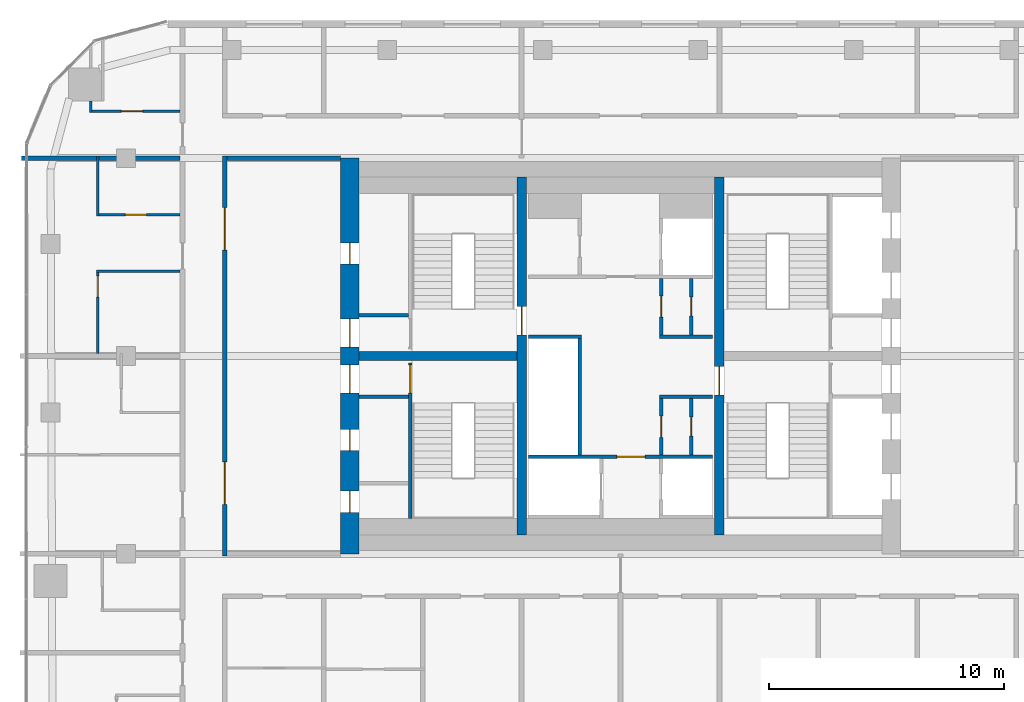
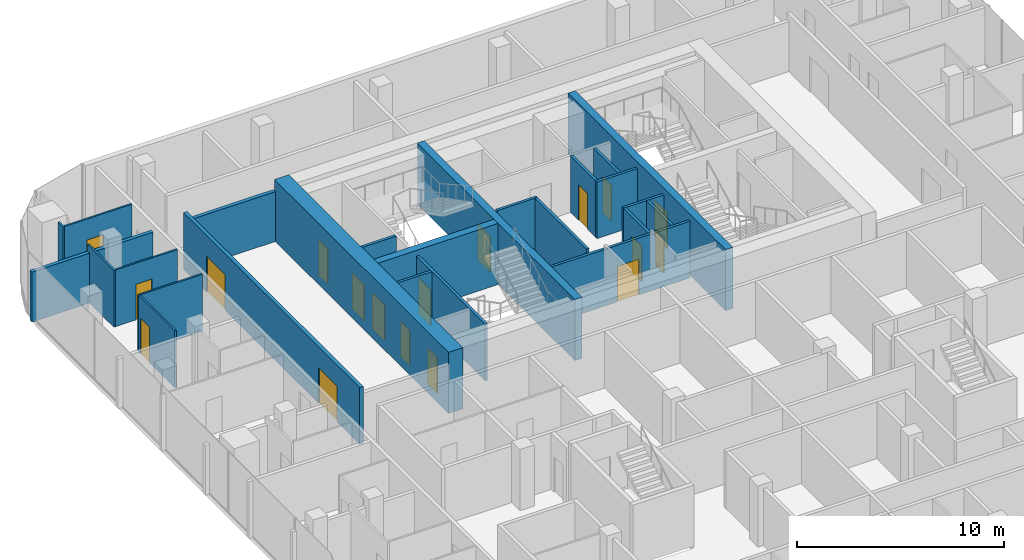
# One storey, part 18 of 22: 25 walls, 18 doors, 18 openings.
"""IFC4 building model written with IfcOpenShell, lengths in metres."""

from ifc_helpers import new_model, si_unit, direction, frame, frame_2d, origin, place, context, subcontext, project, spatial, rectangle, extrude, material, layer, layer_set, type_object, element, fill, save


model = new_model("IFC4")

# Units and contexts
model_context = context("Model", 3, precision=1e-05, world=origin(), true_north=direction((0.0, 1.0)))
body_context = subcontext(model_context, "Body", "Model", "MODEL_VIEW")
ifc_project = project(units=[si_unit("LENGTHUNIT", "METRE"), si_unit("AREAUNIT", "SQUARE_METRE"), si_unit("VOLUMEUNIT", "CUBIC_METRE"), si_unit("PLANEANGLEUNIT", "RADIAN"), si_unit("MASSUNIT", "GRAM", prefix="KILO")], contexts=[model_context])

# Site, building, storey
site_placement = place(None, origin())
site = spatial("IfcSite", under=ifc_project, at=site_placement, CompositionType="ELEMENT")
building_placement = place(site_placement, origin())
building = spatial("IfcBuilding", under=site, at=building_placement, Name="Marenta Gate Hotel Tower", CompositionType="ELEMENT")
storey_placement = place(building_placement, frame((0.0, 0.0, 209.300048828125)))
storey = spatial("IfcBuildingStorey", under=building, at=storey_placement, Name="L48", CompositionType="ELEMENT", Elevation=209.300048828125)

# Wall, openings, doors
ifc_material_1 = material(Name="Concrete blockwork", Category="masonry")
ifc_layer_1 = layer(ifc_material_1, 0.199951171875)
ifc_layer_set_1 = layer_set([ifc_layer_1], Name="Concrete blockwork")
wall_type_1 = type_object("IfcWallType", Name="Core boundary wall 200 REI 180", PredefinedType="PARTITIONING", material=ifc_layer_set_1)
wall_1_placement = place(storey_placement, frame((-16.800048828125, -0.10009765625, 0.0), z_axis=(0.0, 0.0, 1.0), x_axis=(0.0, 1.0, 0.0)))
wall_1 = element("IfcWall", 1, at=wall_1_placement, inside=storey, type_object=wall_type_1, Name="L48-CP-BW-W", PredefinedType="PARTITIONING", context=body_context, shape_type="SweptSolid", body=[
    extrude(rectangle(XDim=17.0, YDim=0.199951171875, at=frame_2d((8.5, 0.0))), origin(), (0.0, 0.0, 1.0), 3.33984375),
])
opening_1_placement = place(wall_1_placement, frame((2.199951171875, 0.0, 0.0)))
opening_1 = element("IfcOpeningElement", 2, at=opening_1_placement, cuts=wall_1, Name="Opening ED-Wa-B", PredefinedType="OPENING", context=body_context, shape_type="SweptSolid", body=[
    extrude(rectangle(XDim=1.800048828125, YDim=2.10009765625, at=frame_2d((0.89990234375, 1.050048828125))), frame((0.0, 0.10009765625, 0.0), z_axis=(0.0, -1.0, 0.0), x_axis=(1.0, 0.0, 0.0)), (0.0, 0.0, 1.0), 0.199951171875),
])
opening_2_placement = place(wall_1_placement, frame((13.0, 0.0, 0.0)))
opening_2 = element("IfcOpeningElement", 3, at=opening_2_placement, cuts=wall_1, Name="Opening ED-Wb-B", PredefinedType="OPENING", context=body_context, shape_type="SweptSolid", body=[
    extrude(rectangle(XDim=1.800048828125, YDim=2.10009765625, at=frame_2d((0.89990234375, 1.050048828125))), frame((0.0, 0.10009765625, 0.0), z_axis=(0.0, -1.0, 0.0), x_axis=(1.0, 0.0, 0.0)), (0.0, 0.0, 1.0), 0.199951171875),
])
ifc_material_2 = material(Name="Steel", Category="steel")
door_type_1 = type_object("IfcDoorType", Name="Core lobby entrance door 1800x2100 EI 60", OperationType="DOUBLE_DOOR_SINGLE_SWING", PredefinedType="DOOR", material=ifc_material_2)
door_1_placement = place(opening_1_placement, origin())
door_1 = element("IfcDoor", 4, at=door_1_placement, inside=storey, type_object=door_type_1, Name="ED-Wa-B", OperationType="DOUBLE_DOOR_SINGLE_SWING", OverallHeight=2.10009765625, OverallWidth=1.800048828125, PredefinedType="DOOR", context=body_context, shape_type="SweptSolid", body=[
    extrude(rectangle(XDim=1.800048828125, YDim=2.10009765625, at=frame_2d((0.89990234375, 1.050048828125))), frame((0.0, 0.02490234375, 0.0), z_axis=(0.0, -1.0, 0.0), x_axis=(1.0, 0.0, 0.0)), (0.0, 0.0, 1.0), 0.050048828125),
])
fill(opening_1, door_1)
door_2_placement = place(opening_2_placement, origin())
door_2 = element("IfcDoor", 5, at=door_2_placement, inside=storey, type_object=door_type_1, Name="ED-Wb-B", OperationType="DOUBLE_DOOR_SINGLE_SWING", OverallHeight=2.10009765625, OverallWidth=1.800048828125, PredefinedType="DOOR", context=body_context, shape_type="SweptSolid", body=[
    extrude(rectangle(XDim=1.800048828125, YDim=2.10009765625, at=frame_2d((0.89990234375, 1.050048828125))), frame((0.0, 0.02490234375, 0.0), z_axis=(0.0, -1.0, 0.0), x_axis=(1.0, 0.0, 0.0)), (0.0, 0.0, 1.0), 0.050048828125),
])
fill(opening_2, door_2)

# Wall
wall_2_placement = place(storey_placement, frame((-16.699951171875, 16.800048828125, 0.0), z_axis=(0.0, 0.0, 1.0), x_axis=(1.0, 0.0, 0.0)))
element("IfcWall", 6, at=wall_2_placement, inside=storey, type_object=wall_type_1, Name="L48-CP-EW-WN", PredefinedType="PARTITIONING", context=body_context, shape_type="SweptSolid", body=[
    extrude(rectangle(XDim=4.800048828125, YDim=0.199951171875, at=frame_2d((2.39990234375, 0.0))), origin(), (0.0, 0.0, 1.0), 2.93994140625),
])

# Wall, opening, door
ifc_material_3 = material(Name="Concrete blockwork", Category="masonry")
ifc_layer_2 = layer(ifc_material_3, 0.14990234375)
ifc_layer_set_2 = layer_set([ifc_layer_2], Name="Concrete blockwork")
wall_type_2 = type_object("IfcWallType", Name="Core lobby partition 150 REI 180", PredefinedType="PARTITIONING", material=ifc_layer_set_2)
wall_3_placement = place(storey_placement, frame((-3.89990234375, 4.125, 0.0), z_axis=(0.0, 0.0, 1.0), x_axis=(1.0, 0.0, 0.0)))
wall_3 = element("IfcWall", 7, at=wall_3_placement, inside=storey, type_object=wall_type_2, Name="L48-CP-CW-S", PredefinedType="PARTITIONING", context=body_context, shape_type="SweptSolid", body=[
    extrude(rectangle(XDim=7.7998046875, YDim=0.14990234375, at=frame_2d((3.89990234375, 0.0))), origin(), (0.0, 0.0, 1.0), 3.33984375),
])
opening_3_placement = place(wall_3_placement, frame((3.75, 0.0, 0.0)))
opening_3 = element("IfcOpeningElement", 8, at=opening_3_placement, cuts=wall_3, Name="Opening FD-FFS", PredefinedType="OPENING", context=body_context, shape_type="SweptSolid", body=[
    extrude(rectangle(XDim=1.199951171875, YDim=2.10009765625, at=frame_2d((0.60009765625, 1.050048828125))), frame((0.0, 0.074951171875, 0.0), z_axis=(0.0, -1.0, 0.0), x_axis=(1.0, 0.0, 0.0)), (0.0, 0.0, 1.0), 0.14990234375),
])
ifc_material_4 = material(Name="Steel", Category="steel")
door_type_2 = type_object("IfcDoorType", Name="Core lobby door 1200x2100 FD60", OperationType="SINGLE_SWING_LEFT", PredefinedType="DOOR", material=ifc_material_4)
door_3_placement = place(opening_3_placement, origin())
door_3 = element("IfcDoor", 9, at=door_3_placement, inside=storey, type_object=door_type_2, Name="FD-FFS", OperationType="SINGLE_SWING_LEFT", OverallHeight=2.10009765625, OverallWidth=1.199951171875, PredefinedType="DOOR", context=body_context, shape_type="SweptSolid", body=[
    extrude(rectangle(XDim=1.199951171875, YDim=2.10009765625, at=frame_2d((0.60009765625, 1.050048828125))), frame((0.0, 0.02490234375, 0.0), z_axis=(0.0, -1.0, 0.0), x_axis=(1.0, 0.0, 0.0)), (0.0, 0.0, 1.0), 0.050048828125),
])
fill(opening_3, door_3)

# Walls
ifc_material_5 = material(Name="Concrete blockwork", Category="masonry")
ifc_layer_3 = layer(ifc_material_5, 0.14990234375)
ifc_layer_set_3 = layer_set([ifc_layer_3], Name="Concrete blockwork")
wall_type_3 = type_object("IfcWallType", Name="Core room partition 150 REI 180", PredefinedType="PARTITIONING", material=ifc_layer_set_3)
for number, where, z_axis, x_axis, name in (
    (10, (-11.10009765625, 6.675048828125, 0.0), (0.0, 0.0, 1.0), (1.0, 0.0, 0.0), "L48-CP-SW-WS-2"),
    (11, (-11.10009765625, 10.125, 0.0), (0.0, 0.0, 1.0), (1.0, 0.0, 0.0), "L48-CP-SW-WN-2"),
):
    element("IfcWall", number, at=place(storey_placement, frame(where, z_axis=z_axis, x_axis=x_axis)), inside=storey, type_object=wall_type_3, Name=name, PredefinedType="PARTITIONING", context=body_context, shape_type="SweptSolid", body=[
        extrude(rectangle(XDim=2.10009765625, YDim=0.14990234375, at=frame_2d((1.050048828125, 0.0))), origin(), (0.0, 0.0, 1.0), 3.33984375),
    ])
for number, where, z_axis, x_axis, name in (
    (12, (1.64990234375, 6.675048828125, 0.0), (0.0, 0.0, 1.0), (1.0, 0.0, 0.0), "L48-CP-CE-sep1"),
    (13, (1.64990234375, 9.22509765625, 0.0), (0.0, 0.0, 1.0), (1.0, 0.0, 0.0), "L48-CP-CE-sep2"),
):
    element("IfcWall", number, at=place(storey_placement, frame(where, z_axis=z_axis, x_axis=x_axis)), inside=storey, type_object=wall_type_3, Name=name, PredefinedType="PARTITIONING", context=body_context, shape_type="SweptSolid", body=[
        extrude(rectangle(XDim=2.25, YDim=0.14990234375, at=frame_2d((1.125, 0.0))), origin(), (0.0, 0.0, 1.0), 3.33984375),
    ])

# Wall, opening, door
wall_4_placement = place(storey_placement, frame((1.72509765625, 4.199951171875, 0.0), z_axis=(0.0, 0.0, 1.0), x_axis=(0.0, 1.0, 0.0)))
wall_4 = element("IfcWall", 14, at=wall_4_placement, inside=storey, type_object=wall_type_3, Name="L48-CP-CE-front-1", PredefinedType="PARTITIONING", context=body_context, shape_type="SweptSolid", body=[
    extrude(rectangle(XDim=2.400146484375, YDim=0.14990234375, at=frame_2d((1.2001953125, 0.0))), origin(), (0.0, 0.0, 1.0), 3.33984375),
])
opening_4_placement = place(wall_4_placement, frame((0.75, 0.0, 0.0)))
opening_4 = element("IfcOpeningElement", 15, at=opening_4_placement, cuts=wall_4, Name="Opening RD-CE-1a", PredefinedType="OPENING", context=body_context, shape_type="SweptSolid", body=[
    extrude(rectangle(XDim=0.89990234375, YDim=2.10009765625, at=frame_2d((0.449951171875, 1.050048828125))), frame((0.0, 0.074951171875, 0.0), z_axis=(0.0, -1.0, 0.0), x_axis=(1.0, 0.0, 0.0)), (0.0, 0.0, 1.0), 0.14990234375),
])
ifc_material_6 = material(Name="Steel", Category="steel")
door_type_3 = type_object("IfcDoorType", Name="Core service room door 900x2100 FD30S", OperationType="SINGLE_SWING_LEFT", PredefinedType="DOOR", material=ifc_material_6)
door_4_placement = place(opening_4_placement, origin())
door_4 = element("IfcDoor", 16, at=door_4_placement, inside=storey, type_object=door_type_3, Name="RD-CE-1a", OperationType="SINGLE_SWING_LEFT", OverallHeight=2.10009765625, OverallWidth=0.89990234375, PredefinedType="DOOR", context=body_context, shape_type="SweptSolid", body=[
    extrude(rectangle(XDim=0.89990234375, YDim=2.10009765625, at=frame_2d((0.449951171875, 1.050048828125))), frame((0.0, 0.02490234375, 0.0), z_axis=(0.0, -1.0, 0.0), x_axis=(1.0, 0.0, 0.0)), (0.0, 0.0, 1.0), 0.050048828125),
])
fill(opening_4, door_4)

wall_5_placement = place(storey_placement, frame((1.72509765625, 9.300048828125, 0.0), z_axis=(0.0, 0.0, 1.0), x_axis=(0.0, 1.0, 0.0)))
wall_5 = element("IfcWall", 17, at=wall_5_placement, inside=storey, type_object=wall_type_3, Name="L48-CP-CE-front-2", PredefinedType="PARTITIONING", context=body_context, shape_type="SweptSolid", body=[
    extrude(rectangle(XDim=2.39990234375, YDim=0.14990234375, at=frame_2d((1.199951171875, 0.0))), origin(), (0.0, 0.0, 1.0), 3.33984375),
])
opening_5_placement = place(wall_5_placement, frame((0.75, 0.0, 0.0)))
opening_5 = element("IfcOpeningElement", 18, at=opening_5_placement, cuts=wall_5, Name="Opening RD-CE-2a", PredefinedType="OPENING", context=body_context, shape_type="SweptSolid", body=[
    extrude(rectangle(XDim=0.89990234375, YDim=2.10009765625, at=frame_2d((0.449951171875, 1.050048828125))), frame((0.0, 0.074951171875, 0.0), z_axis=(0.0, -1.0, 0.0), x_axis=(1.0, 0.0, 0.0)), (0.0, 0.0, 1.0), 0.14990234375),
])
door_5_placement = place(opening_5_placement, origin())
door_5 = element("IfcDoor", 19, at=door_5_placement, inside=storey, type_object=door_type_3, Name="RD-CE-2a", OperationType="SINGLE_SWING_LEFT", OverallHeight=2.10009765625, OverallWidth=0.89990234375, PredefinedType="DOOR", context=body_context, shape_type="SweptSolid", body=[
    extrude(rectangle(XDim=0.89990234375, YDim=2.10009765625, at=frame_2d((0.449951171875, 1.050048828125))), frame((0.0, 0.02490234375, 0.0), z_axis=(0.0, -1.0, 0.0), x_axis=(1.0, 0.0, 0.0)), (0.0, 0.0, 1.0), 0.050048828125),
])
fill(opening_5, door_5)

wall_6_placement = place(storey_placement, frame((3.0, 4.199951171875, 0.0), z_axis=(0.0, 0.0, 1.0), x_axis=(0.0, 1.0, 0.0)))
wall_6 = element("IfcWall", 20, at=wall_6_placement, inside=storey, type_object=wall_type_3, Name="L48-CP-CE-RW-1", PredefinedType="PARTITIONING", context=body_context, shape_type="SweptSolid", body=[
    extrude(rectangle(XDim=2.400146484375, YDim=0.14990234375, at=frame_2d((1.2001953125, 0.0))), origin(), (0.0, 0.0, 1.0), 3.33984375),
])
opening_6_placement = place(wall_6_placement, frame((0.800048828125, 0.0, 0.0)))
opening_6 = element("IfcOpeningElement", 21, at=opening_6_placement, cuts=wall_6, Name="Opening RD-CE-1b-A", PredefinedType="OPENING", context=body_context, shape_type="SweptSolid", body=[
    extrude(rectangle(XDim=0.800048828125, YDim=2.10009765625, at=frame_2d((0.39990234375, 1.050048828125))), frame((0.0, 0.074951171875, 0.0), z_axis=(0.0, -1.0, 0.0), x_axis=(1.0, 0.0, 0.0)), (0.0, 0.0, 1.0), 0.14990234375),
])
ifc_material_7 = material(Name="Steel", Category="steel")
door_type_4 = type_object("IfcDoorType", Name="Core riser door 800x2100 FD60", OperationType="SINGLE_SWING_LEFT", PredefinedType="DOOR", material=ifc_material_7)
door_6_placement = place(opening_6_placement, origin())
door_6 = element("IfcDoor", 22, at=door_6_placement, inside=storey, type_object=door_type_4, Name="RD-CE-1b-A", OperationType="SINGLE_SWING_LEFT", OverallHeight=2.10009765625, OverallWidth=0.800048828125, PredefinedType="DOOR", context=body_context, shape_type="SweptSolid", body=[
    extrude(rectangle(XDim=0.800048828125, YDim=2.10009765625, at=frame_2d((0.39990234375, 1.050048828125))), frame((0.0, 0.02490234375, 0.0), z_axis=(0.0, -1.0, 0.0), x_axis=(1.0, 0.0, 0.0)), (0.0, 0.0, 1.0), 0.050048828125),
])
fill(opening_6, door_6)

wall_7_placement = place(storey_placement, frame((3.0, 9.300048828125, 0.0), z_axis=(0.0, 0.0, 1.0), x_axis=(0.0, 1.0, 0.0)))
wall_7 = element("IfcWall", 23, at=wall_7_placement, inside=storey, type_object=wall_type_3, Name="L48-CP-CE-RW-2", PredefinedType="PARTITIONING", context=body_context, shape_type="SweptSolid", body=[
    extrude(rectangle(XDim=2.39990234375, YDim=0.14990234375, at=frame_2d((1.199951171875, 0.0))), origin(), (0.0, 0.0, 1.0), 3.33984375),
])
opening_7_placement = place(wall_7_placement, frame((0.800048828125, 0.0, 0.0)))
opening_7 = element("IfcOpeningElement", 24, at=opening_7_placement, cuts=wall_7, Name="Opening RD-CE-2b-A", PredefinedType="OPENING", context=body_context, shape_type="SweptSolid", body=[
    extrude(rectangle(XDim=0.800048828125, YDim=2.10009765625, at=frame_2d((0.39990234375, 1.050048828125))), frame((0.0, 0.074951171875, 0.0), z_axis=(0.0, -1.0, 0.0), x_axis=(1.0, 0.0, 0.0)), (0.0, 0.0, 1.0), 0.14990234375),
])
door_7_placement = place(opening_7_placement, origin())
door_7 = element("IfcDoor", 25, at=door_7_placement, inside=storey, type_object=door_type_4, Name="RD-CE-2b-A", OperationType="SINGLE_SWING_LEFT", OverallHeight=2.10009765625, OverallWidth=0.800048828125, PredefinedType="DOOR", context=body_context, shape_type="SweptSolid", body=[
    extrude(rectangle(XDim=0.800048828125, YDim=2.10009765625, at=frame_2d((0.39990234375, 1.050048828125))), frame((0.0, 0.02490234375, 0.0), z_axis=(0.0, -1.0, 0.0), x_axis=(1.0, 0.0, 0.0)), (0.0, 0.0, 1.0), 0.050048828125),
])
fill(opening_7, door_7)

# Walls
ifc_material_8 = material(Name="Concrete C40", Category="concrete")
ifc_layer_4 = layer(ifc_material_8, 0.14990234375)
ifc_layer_set_4 = layer_set([ifc_layer_4], Name="Concrete C40")
wall_type_4 = type_object("IfcWallType", Name="Core shaft wall 150 REI 180", PredefinedType="SHEAR", material=ifc_layer_set_4)
wall_8_placement = place(storey_placement, frame((-1.72509765625, 4.199951171875, 0.0), z_axis=(0.0, 0.0, 1.0), x_axis=(0.0, 1.0, 0.0)))
element("IfcWall", 26, at=wall_8_placement, inside=storey, type_object=wall_type_4, Name="L48-SHF-CW-W-front", PredefinedType="SHEAR", context=body_context, shape_type="SweptSolid", body=[
    extrude(rectangle(XDim=4.949951171875, YDim=0.14990234375, at=frame_2d((2.47509765625, 0.0))), origin(), (0.0, 0.0, 1.0), 3.599853515625),
])
wall_9_placement = place(storey_placement, frame((-3.89990234375, 9.22509765625, 0.0), z_axis=(0.0, 0.0, 1.0), x_axis=(1.0, 0.0, 0.0)))
element("IfcWall", 27, at=wall_9_placement, inside=storey, type_object=wall_type_4, Name="L48-SHF-CW-W-sep", PredefinedType="SHEAR", context=body_context, shape_type="SweptSolid", body=[
    extrude(rectangle(XDim=2.25, YDim=0.14990234375, at=frame_2d((1.125, 0.0))), origin(), (0.0, 0.0, 1.0), 3.599853515625),
])

# Wall, opening, door
ifc_material_9 = material(Name="Concrete C40", Category="concrete")
ifc_layer_5 = layer(ifc_material_9, 0.14990234375)
ifc_layer_set_5 = layer_set([ifc_layer_5], Name="Concrete C40")
wall_type_5 = type_object("IfcWallType", Name="Core stair enclosure wall 150 REI 180", PredefinedType="SHEAR", material=ifc_layer_set_5)
wall_10_placement = place(storey_placement, frame((-8.925048828125, 1.5, 0.0), z_axis=(0.0, 0.0, 1.0), x_axis=(0.0, 1.0, 0.0)))
wall_10 = element("IfcWall", 28, at=wall_10_placement, inside=storey, type_object=wall_type_5, Name="L48-SHF-SW-WS-3", PredefinedType="SHEAR", context=body_context, shape_type="SweptSolid", body=[
    extrude(rectangle(XDim=6.60009765625, YDim=0.14990234375, at=frame_2d((3.300048828125, 0.0))), origin(), (0.0, 0.0, 1.0), 3.33984375),
])
opening_8_placement = place(wall_10_placement, frame((5.324951171875, 0.0, 0.0)))
opening_8 = element("IfcOpeningElement", 29, at=opening_8_placement, cuts=wall_10, Name="Opening SD-WS", PredefinedType="OPENING", context=body_context, shape_type="SweptSolid", body=[
    extrude(rectangle(XDim=1.199951171875, YDim=2.10009765625, at=frame_2d((0.60009765625, 1.050048828125))), frame((0.0, 0.074951171875, 0.0), z_axis=(0.0, -1.0, 0.0), x_axis=(1.0, 0.0, 0.0)), (0.0, 0.0, 1.0), 0.14990234375),
])
ifc_material_10 = material(Name="Steel", Category="steel")
door_type_5 = type_object("IfcDoorType", Name="Core stair door 1200x2100 FD60", OperationType="SINGLE_SWING_LEFT", PredefinedType="DOOR", material=ifc_material_10)
door_8_placement = place(opening_8_placement, origin())
door_8 = element("IfcDoor", 30, at=door_8_placement, inside=storey, type_object=door_type_5, Name="SD-WS", OperationType="SINGLE_SWING_LEFT", OverallHeight=2.10009765625, OverallWidth=1.199951171875, PredefinedType="DOOR", context=body_context, shape_type="SweptSolid", body=[
    extrude(rectangle(XDim=1.199951171875, YDim=2.10009765625, at=frame_2d((0.60009765625, 1.050048828125))), frame((0.0, 0.02490234375, 0.0), z_axis=(0.0, -1.0, 0.0), x_axis=(1.0, 0.0, 0.0)), (0.0, 0.0, 1.0), 0.050048828125),
])
fill(opening_8, door_8)

# Wall, openings, doors
ifc_material_11 = material(Name="Concrete C60", Category="concrete")
ifc_layer_6 = layer(ifc_material_11, 0.800048828125)
ifc_layer_set_6 = layer_set([ifc_layer_6], Name="Concrete C60")
wall_type_6 = type_object("IfcWallType", Name="Core wall 800 C60", PredefinedType="SHEAR", material=ifc_layer_set_6)
wall_11_placement = place(storey_placement, frame((-11.5, 0.0, 0.0), z_axis=(0.0, 0.0, 1.0), x_axis=(0.0, 1.0, 0.0)))
wall_11 = element("IfcWall", 31, at=wall_11_placement, inside=storey, type_object=wall_type_6, Name="L48-CORE-W", PredefinedType="SHEAR", context=body_context, shape_type="SweptSolid", body=[
    extrude(rectangle(XDim=16.800048828125, YDim=0.800048828125, at=frame_2d((8.39990234375, 0.0))), origin(), (0.0, 0.0, 1.0), 3.599853515625),
])
opening_9_placement = place(wall_11_placement, frame((1.762451171875, 0.0, 0.0)))
opening_9 = element("IfcOpeningElement", 32, at=opening_9_placement, cuts=wall_11, Name="Opening RD-WS-1", PredefinedType="OPENING", context=body_context, shape_type="SweptSolid", body=[
    extrude(rectangle(XDim=0.89990234375, YDim=2.10009765625, at=frame_2d((0.449951171875, 1.050048828125))), frame((0.0, 0.39990234375, 0.0), z_axis=(0.0, -1.0, 0.0), x_axis=(1.0, 0.0, 0.0)), (0.0, 0.0, 1.0), 0.800048828125),
])
opening_10_placement = place(wall_11_placement, frame((4.387451171875, 0.0, 0.0)))
opening_10 = element("IfcOpeningElement", 33, at=opening_10_placement, cuts=wall_11, Name="Opening RD-WS-2", PredefinedType="OPENING", context=body_context, shape_type="SweptSolid", body=[
    extrude(rectangle(XDim=0.89990234375, YDim=2.10009765625, at=frame_2d((0.449951171875, 1.050048828125))), frame((0.0, 0.39990234375, 0.0), z_axis=(0.0, -1.0, 0.0), x_axis=(1.0, 0.0, 0.0)), (0.0, 0.0, 1.0), 0.800048828125),
])
opening_11_placement = place(wall_11_placement, frame((6.824951171875, 0.0, 0.0)))
opening_11 = element("IfcOpeningElement", 34, at=opening_11_placement, cuts=wall_11, Name="Opening PD-WS", PredefinedType="OPENING", context=body_context, shape_type="SweptSolid", body=[
    extrude(rectangle(XDim=1.199951171875, YDim=2.10009765625, at=frame_2d((0.60009765625, 1.050048828125))), frame((0.0, 0.39990234375, 0.0), z_axis=(0.0, -1.0, 0.0), x_axis=(1.0, 0.0, 0.0)), (0.0, 0.0, 1.0), 0.800048828125),
])
opening_12_placement = place(wall_11_placement, frame((12.300048828125, 0.0, 0.0)))
opening_12 = element("IfcOpeningElement", 35, at=opening_12_placement, cuts=wall_11, Name="Opening RD-WN-1", PredefinedType="OPENING", context=body_context, shape_type="SweptSolid", body=[
    extrude(rectangle(XDim=0.89990234375, YDim=2.10009765625, at=frame_2d((0.449951171875, 1.050048828125))), frame((0.0, 0.39990234375, 0.0), z_axis=(0.0, -1.0, 0.0), x_axis=(1.0, 0.0, 0.0)), (0.0, 0.0, 1.0), 0.800048828125),
])
opening_13_placement = place(wall_11_placement, frame((8.77490234375, 0.0, 0.0)))
opening_13 = element("IfcOpeningElement", 36, at=opening_13_placement, cuts=wall_11, Name="Opening PD-WN", PredefinedType="OPENING", context=body_context, shape_type="SweptSolid", body=[
    extrude(rectangle(XDim=1.199951171875, YDim=2.10009765625, at=frame_2d((0.60009765625, 1.050048828125))), frame((0.0, 0.39990234375, 0.0), z_axis=(0.0, -1.0, 0.0), x_axis=(1.0, 0.0, 0.0)), (0.0, 0.0, 1.0), 0.800048828125),
])
door_9_placement = place(opening_11_placement, origin())
door_9 = element("IfcDoor", 37, at=door_9_placement, inside=storey, type_object=door_type_2, Name="PD-WS", OperationType="SINGLE_SWING_LEFT", OverallHeight=2.10009765625, OverallWidth=1.199951171875, PredefinedType="DOOR", context=body_context, shape_type="SweptSolid", body=[
    extrude(rectangle(XDim=1.199951171875, YDim=2.10009765625, at=frame_2d((0.60009765625, 1.050048828125))), frame((0.0, 0.02490234375, 0.0), z_axis=(0.0, -1.0, 0.0), x_axis=(1.0, 0.0, 0.0)), (0.0, 0.0, 1.0), 0.050048828125),
])
fill(opening_11, door_9)
door_10_placement = place(opening_13_placement, origin())
door_10 = element("IfcDoor", 38, at=door_10_placement, inside=storey, type_object=door_type_2, Name="PD-WN", OperationType="SINGLE_SWING_LEFT", OverallHeight=2.10009765625, OverallWidth=1.199951171875, PredefinedType="DOOR", context=body_context, shape_type="SweptSolid", body=[
    extrude(rectangle(XDim=1.199951171875, YDim=2.10009765625, at=frame_2d((0.60009765625, 1.050048828125))), frame((0.0, 0.02490234375, 0.0), z_axis=(0.0, -1.0, 0.0), x_axis=(1.0, 0.0, 0.0)), (0.0, 0.0, 1.0), 0.050048828125),
])
fill(opening_13, door_10)
door_11_placement = place(opening_9_placement, origin())
door_11 = element("IfcDoor", 39, at=door_11_placement, inside=storey, type_object=door_type_3, Name="RD-WS-1", OperationType="SINGLE_SWING_LEFT", OverallHeight=2.10009765625, OverallWidth=0.89990234375, PredefinedType="DOOR", context=body_context, shape_type="SweptSolid", body=[
    extrude(rectangle(XDim=0.89990234375, YDim=2.10009765625, at=frame_2d((0.449951171875, 1.050048828125))), frame((0.0, 0.02490234375, 0.0), z_axis=(0.0, -1.0, 0.0), x_axis=(1.0, 0.0, 0.0)), (0.0, 0.0, 1.0), 0.050048828125),
])
fill(opening_9, door_11)
door_12_placement = place(opening_10_placement, origin())
door_12 = element("IfcDoor", 40, at=door_12_placement, inside=storey, type_object=door_type_3, Name="RD-WS-2", OperationType="SINGLE_SWING_LEFT", OverallHeight=2.10009765625, OverallWidth=0.89990234375, PredefinedType="DOOR", context=body_context, shape_type="SweptSolid", body=[
    extrude(rectangle(XDim=0.89990234375, YDim=2.10009765625, at=frame_2d((0.449951171875, 1.050048828125))), frame((0.0, 0.02490234375, 0.0), z_axis=(0.0, -1.0, 0.0), x_axis=(1.0, 0.0, 0.0)), (0.0, 0.0, 1.0), 0.050048828125),
])
fill(opening_10, door_12)
door_13_placement = place(opening_12_placement, origin())
door_13 = element("IfcDoor", 41, at=door_13_placement, inside=storey, type_object=door_type_3, Name="RD-WN-1", OperationType="SINGLE_SWING_LEFT", OverallHeight=2.10009765625, OverallWidth=0.89990234375, PredefinedType="DOOR", context=body_context, shape_type="SweptSolid", body=[
    extrude(rectangle(XDim=0.89990234375, YDim=2.10009765625, at=frame_2d((0.449951171875, 1.050048828125))), frame((0.0, 0.02490234375, 0.0), z_axis=(0.0, -1.0, 0.0), x_axis=(1.0, 0.0, 0.0)), (0.0, 0.0, 1.0), 0.050048828125),
])
fill(opening_12, door_13)

# Wall, opening, door
ifc_material_12 = material(Name="Concrete C60", Category="concrete")
ifc_layer_7 = layer(ifc_material_12, 0.39990234375)
ifc_layer_set_7 = layer_set([ifc_layer_7], Name="Concrete C60")
wall_type_7 = type_object("IfcWallType", Name="Core web 400 C60", PredefinedType="SHEAR", material=ifc_layer_set_7)
wall_12_placement = place(storey_placement, frame((-4.199951171875, 0.800048828125, 0.0), z_axis=(0.0, 0.0, 1.0), x_axis=(0.0, 1.0, 0.0)))
wall_12 = element("IfcWall", 42, at=wall_12_placement, inside=storey, type_object=wall_type_7, Name="L48-CORE-W1", PredefinedType="SHEAR", context=body_context, shape_type="SweptSolid", body=[
    extrude(rectangle(XDim=15.199951171875, YDim=0.39990234375, at=frame_2d((7.60009765625, 0.0))), origin(), (0.0, 0.0, 1.0), 3.599853515625),
])
opening_14_placement = place(wall_12_placement, frame((8.5, 0.0, 0.0)))
opening_14 = element("IfcOpeningElement", 43, at=opening_14_placement, cuts=wall_12, Name="Opening WD-W", PredefinedType="OPENING", context=body_context, shape_type="SweptSolid", body=[
    extrude(rectangle(XDim=1.199951171875, YDim=2.10009765625, at=frame_2d((0.60009765625, 1.050048828125))), frame((0.0, 0.199951171875, 0.0), z_axis=(0.0, -1.0, 0.0), x_axis=(1.0, 0.0, 0.0)), (0.0, 0.0, 1.0), 0.39990234375),
])
door_14_placement = place(opening_14_placement, origin())
door_14 = element("IfcDoor", 44, at=door_14_placement, inside=storey, type_object=door_type_5, Name="WD-W", OperationType="SINGLE_SWING_LEFT", OverallHeight=2.10009765625, OverallWidth=1.199951171875, PredefinedType="DOOR", context=body_context, shape_type="SweptSolid", body=[
    extrude(rectangle(XDim=1.199951171875, YDim=2.10009765625, at=frame_2d((0.60009765625, 1.050048828125))), frame((0.0, 0.02490234375, 0.0), z_axis=(0.0, -1.0, 0.0), x_axis=(1.0, 0.0, 0.0)), (0.0, 0.0, 1.0), 0.050048828125),
])
fill(opening_14, door_14)

wall_13_placement = place(storey_placement, frame((4.199951171875, 0.800048828125, 0.0), z_axis=(0.0, 0.0, 1.0), x_axis=(0.0, 1.0, 0.0)))
wall_13 = element("IfcWall", 45, at=wall_13_placement, inside=storey, type_object=wall_type_7, Name="L48-CORE-W2", PredefinedType="SHEAR", context=body_context, shape_type="SweptSolid", body=[
    extrude(rectangle(XDim=15.199951171875, YDim=0.39990234375, at=frame_2d((7.60009765625, 0.0))), origin(), (0.0, 0.0, 1.0), 3.599853515625),
])
opening_15_placement = place(wall_13_placement, frame((5.949951171875, 0.0, 0.0)))
opening_15 = element("IfcOpeningElement", 46, at=opening_15_placement, cuts=wall_13, Name="Opening WD-E", PredefinedType="OPENING", context=body_context, shape_type="SweptSolid", body=[
    extrude(rectangle(XDim=1.199951171875, YDim=2.10009765625, at=frame_2d((0.60009765625, 1.050048828125))), frame((0.0, 0.199951171875, 0.0), z_axis=(0.0, -1.0, 0.0), x_axis=(1.0, 0.0, 0.0)), (0.0, 0.0, 1.0), 0.39990234375),
])
door_15_placement = place(opening_15_placement, origin())
door_15 = element("IfcDoor", 47, at=door_15_placement, inside=storey, type_object=door_type_5, Name="WD-E", OperationType="SINGLE_SWING_LEFT", OverallHeight=2.10009765625, OverallWidth=1.199951171875, PredefinedType="DOOR", context=body_context, shape_type="SweptSolid", body=[
    extrude(rectangle(XDim=1.199951171875, YDim=2.10009765625, at=frame_2d((0.60009765625, 1.050048828125))), frame((0.0, 0.02490234375, 0.0), z_axis=(0.0, -1.0, 0.0), x_axis=(1.0, 0.0, 0.0)), (0.0, 0.0, 1.0), 0.050048828125),
])
fill(opening_15, door_15)

# Walls
wall_14_placement = place(storey_placement, frame((-11.10009765625, 8.39990234375, 0.0), z_axis=(0.0, 0.0, 1.0), x_axis=(1.0, 0.0, 0.0)))
element("IfcWall", 48, at=wall_14_placement, inside=storey, type_object=wall_type_7, Name="L48-CORE-W3", PredefinedType="SHEAR", context=body_context, shape_type="SweptSolid", body=[
    extrude(rectangle(XDim=6.7001953125, YDim=0.39990234375, at=frame_2d((3.35009765625, 0.0))), origin(), (0.0, 0.0, 1.0), 3.599853515625),
])
ifc_material_13 = material(Name="Gypsum board on steel stud", Category="steel")
ifc_layer_8 = layer(ifc_material_13, 0.10009765625)
ifc_layer_set_8 = layer_set([ifc_layer_8], Name="Gypsum board on steel stud")
wall_type_8 = type_object("IfcWallType", Name="Room partition 100", PredefinedType="PARTITIONING", material=ifc_layer_set_8)
wall_15_placement = place(storey_placement, frame((-22.25, 12.0, 0.0), z_axis=(0.0, 0.0, 1.0), x_axis=(1.0, 0.0, 0.0)))
element("IfcWall", 49, at=wall_15_placement, inside=storey, type_object=wall_type_8, Name="L48-PTN-W103", PredefinedType="PARTITIONING", context=body_context, shape_type="SweptSolid", body=[
    extrude(rectangle(XDim=3.550048828125, YDim=0.10009765625, at=frame_2d((1.77490234375, 0.0))), origin(), (0.0, 0.0, 1.0), 3.33984375),
])

# Wall, opening, door
wall_16_placement = place(storey_placement, frame((-22.14990234375, 14.39990234375, 0.0), z_axis=(0.0, 0.0, 1.0), x_axis=(1.0, 0.0, 0.0)))
wall_16 = element("IfcWall", 50, at=wall_16_placement, inside=storey, type_object=wall_type_8, Name="L48-PTN-W109", PredefinedType="PARTITIONING", context=body_context, shape_type="SweptSolid", body=[
    extrude(rectangle(XDim=3.449951171875, YDim=0.10009765625, at=frame_2d((1.72509765625, 0.0))), origin(), (0.0, 0.0, 1.0), 3.33984375),
])
opening_16_placement = place(wall_16_placement, frame((1.1201171875, 0.0, 0.0)))
opening_16 = element("IfcOpeningElement", 51, at=opening_16_placement, cuts=wall_16, Name="Opening G17-72", PredefinedType="OPENING", context=body_context, shape_type="SweptSolid", body=[
    extrude(rectangle(XDim=0.89990234375, YDim=2.10009765625, at=frame_2d((0.449951171875, 1.050048828125))), frame((0.0, 0.050048828125, 0.0), z_axis=(0.0, -1.0, 0.0), x_axis=(1.0, 0.0, 0.0)), (0.0, 0.0, 1.0), 0.10009765625),
])
ifc_material_14 = material(Name="Timber door leaf", Category="wood")
door_type_6 = type_object("IfcDoorType", Name="Room inner door 900x2100", OperationType="NOTDEFINED", PredefinedType="DOOR", material=ifc_material_14)
door_16_placement = place(opening_16_placement, origin())
door_16 = element("IfcDoor", 52, at=door_16_placement, inside=storey, type_object=door_type_6, Name="L48-PD-D072", OperationType="SINGLE_SWING_LEFT", OverallHeight=2.10009765625, OverallWidth=0.89990234375, PredefinedType="DOOR", context=body_context, shape_type="SweptSolid", body=[
    extrude(rectangle(XDim=0.89990234375, YDim=2.10009765625, at=frame_2d((0.449951171875, 1.050048828125))), frame((0.0, 0.02490234375, 0.0), z_axis=(0.0, -1.0, 0.0), x_axis=(1.0, 0.0, 0.0)), (0.0, 0.0, 1.0), 0.050048828125),
])
fill(opening_16, door_16)

wall_17_placement = place(storey_placement, frame((-22.449951171875, 18.800048828125, 0.0), z_axis=(0.0, 0.0, 1.0), x_axis=(1.0, 0.0, 0.0)))
wall_17 = element("IfcWall", 53, at=wall_17_placement, inside=storey, type_object=wall_type_8, Name="L48-PTN-W120", PredefinedType="PARTITIONING", context=body_context, shape_type="SweptSolid", body=[
    extrude(rectangle(XDim=3.75, YDim=0.10009765625, at=frame_2d((1.875, 0.0))), origin(), (0.0, 0.0, 1.0), 3.33984375),
])
opening_17_placement = place(wall_17_placement, frame((1.2548828125, 0.0, 0.0)))
opening_17 = element("IfcOpeningElement", 54, at=opening_17_placement, cuts=wall_17, Name="Opening G17-74", PredefinedType="OPENING", context=body_context, shape_type="SweptSolid", body=[
    extrude(rectangle(XDim=0.89990234375, YDim=2.10009765625, at=frame_2d((0.449951171875, 1.050048828125))), frame((0.0, 0.050048828125, 0.0), z_axis=(0.0, -1.0, 0.0), x_axis=(1.0, 0.0, 0.0)), (0.0, 0.0, 1.0), 0.10009765625),
])
ifc_material_15 = material(Name="Timber door leaf", Category="wood")
door_type_7 = type_object("IfcDoorType", Name="Guest bathroom door 900x2100", OperationType="NOTDEFINED", PredefinedType="DOOR", material=ifc_material_15)
door_17_placement = place(opening_17_placement, origin())
door_17 = element("IfcDoor", 55, at=door_17_placement, inside=storey, type_object=door_type_7, Name="L48-PD-D074", OperationType="SINGLE_SWING_LEFT", OverallHeight=2.10009765625, OverallWidth=0.89990234375, PredefinedType="DOOR", context=body_context, shape_type="SweptSolid", body=[
    extrude(rectangle(XDim=0.89990234375, YDim=2.10009765625, at=frame_2d((0.449951171875, 1.050048828125))), frame((0.0, 0.02490234375, 0.0), z_axis=(0.0, -1.0, 0.0), x_axis=(1.0, 0.0, 0.0)), (0.0, 0.0, 1.0), 0.050048828125),
])
fill(opening_17, door_17)

wall_18_placement = place(storey_placement, frame((-22.199951171875, 8.5, 0.0), z_axis=(0.0, 0.0, 1.0), x_axis=(0.0, 1.0, 0.0)))
wall_18 = element("IfcWall", 56, at=wall_18_placement, inside=storey, type_object=wall_type_8, Name="L48-PTN-W128", PredefinedType="PARTITIONING", context=body_context, shape_type="SweptSolid", body=[
    extrude(rectangle(XDim=3.449951171875, YDim=0.10009765625, at=frame_2d((1.72509765625, 0.0))), origin(), (0.0, 0.0, 1.0), 3.33984375),
])
opening_18_placement = place(wall_18_placement, frame((2.39990234375, 0.0, 0.0)))
opening_18 = element("IfcOpeningElement", 57, at=opening_18_placement, cuts=wall_18, Name="Opening G17-71", PredefinedType="OPENING", context=body_context, shape_type="SweptSolid", body=[
    extrude(rectangle(XDim=0.89990234375, YDim=2.10009765625, at=frame_2d((0.449951171875, 1.050048828125))), frame((0.0, 0.050048828125, 0.0), z_axis=(0.0, -1.0, 0.0), x_axis=(1.0, 0.0, 0.0)), (0.0, 0.0, 1.0), 0.10009765625),
])
door_18_placement = place(opening_18_placement, origin())
door_18 = element("IfcDoor", 58, at=door_18_placement, inside=storey, type_object=door_type_7, Name="L48-PD-D071", OperationType="SINGLE_SWING_LEFT", OverallHeight=2.10009765625, OverallWidth=0.89990234375, PredefinedType="DOOR", context=body_context, shape_type="SweptSolid", body=[
    extrude(rectangle(XDim=0.89990234375, YDim=2.10009765625, at=frame_2d((0.449951171875, 1.050048828125))), frame((0.0, 0.02490234375, 0.0), z_axis=(0.0, -1.0, 0.0), x_axis=(1.0, 0.0, 0.0)), (0.0, 0.0, 1.0), 0.050048828125),
])
fill(opening_18, door_18)

# Walls
wall_19_placement = place(storey_placement, frame((-22.199951171875, 14.35009765625, 0.0), z_axis=(0.0, 0.0, 1.0), x_axis=(0.0, 1.0, 0.0)))
element("IfcWall", 59, at=wall_19_placement, inside=storey, type_object=wall_type_8, Name="L48-PTN-W129", PredefinedType="PARTITIONING", context=body_context, shape_type="SweptSolid", body=[
    extrude(rectangle(XDim=2.5498046875, YDim=0.10009765625, at=frame_2d((1.27490234375, 0.0))), origin(), (0.0, 0.0, 1.0), 3.33984375),
])
wall_20_placement = place(storey_placement, frame((-22.5, 18.75, 0.0), z_axis=(0.0, 0.0, 1.0), x_axis=(0.0, 1.0, 0.0)))
element("IfcWall", 60, at=wall_20_placement, inside=storey, type_object=wall_type_8, Name="L48-PTN-W131", PredefinedType="PARTITIONING", context=body_context, shape_type="SweptSolid", body=[
    extrude(rectangle(XDim=0.486083984375, YDim=0.10009765625, at=frame_2d((0.2431640625, 0.0))), origin(), (0.0, 0.0, 1.0), 3.33984375),
])
ifc_material_16 = material(Name="Gypsum board on steel stud", Category="steel")
ifc_layer_9 = layer(ifc_material_16, 0.199951171875)
ifc_layer_set_9 = layer_set([ifc_layer_9], Name="Gypsum board on steel stud")
wall_type_9 = type_object("IfcWallType", Name="Room party wall 200 EI 60", PredefinedType="PARTITIONING", material=ifc_layer_set_9)
wall_21_placement = place(storey_placement, frame((-25.447021484375, 16.800048828125, 0.0), z_axis=(0.0, 0.0, 1.0), x_axis=(1.0, 0.0, 0.0)))
element("IfcWall", 61, at=wall_21_placement, inside=storey, type_object=wall_type_9, Name="L48-PTN-W116", PredefinedType="PARTITIONING", context=body_context, shape_type="SweptSolid", body=[
    extrude(rectangle(XDim=6.7470703125, YDim=0.199951171875, at=frame_2d((3.37353515625, 0.0))), origin(), (0.0, 0.0, 1.0), 2.93994140625),
])

save(model, "model.ifc")
